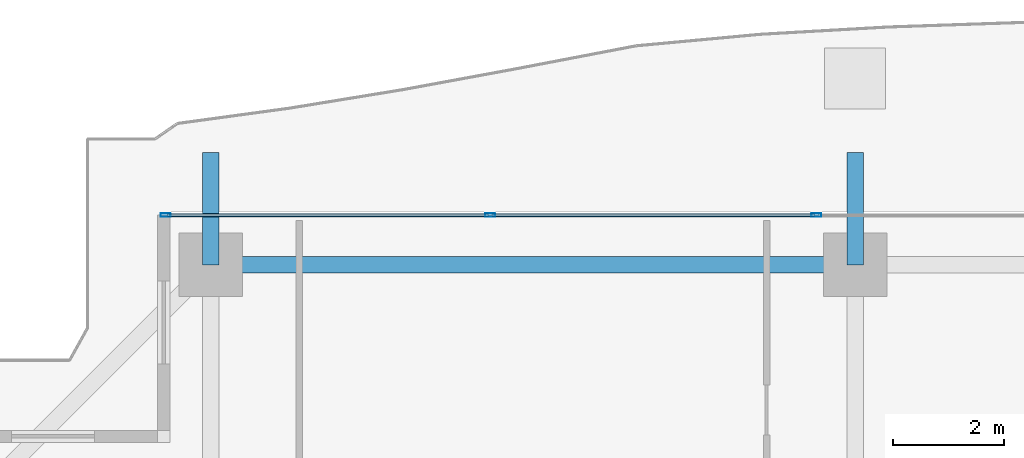
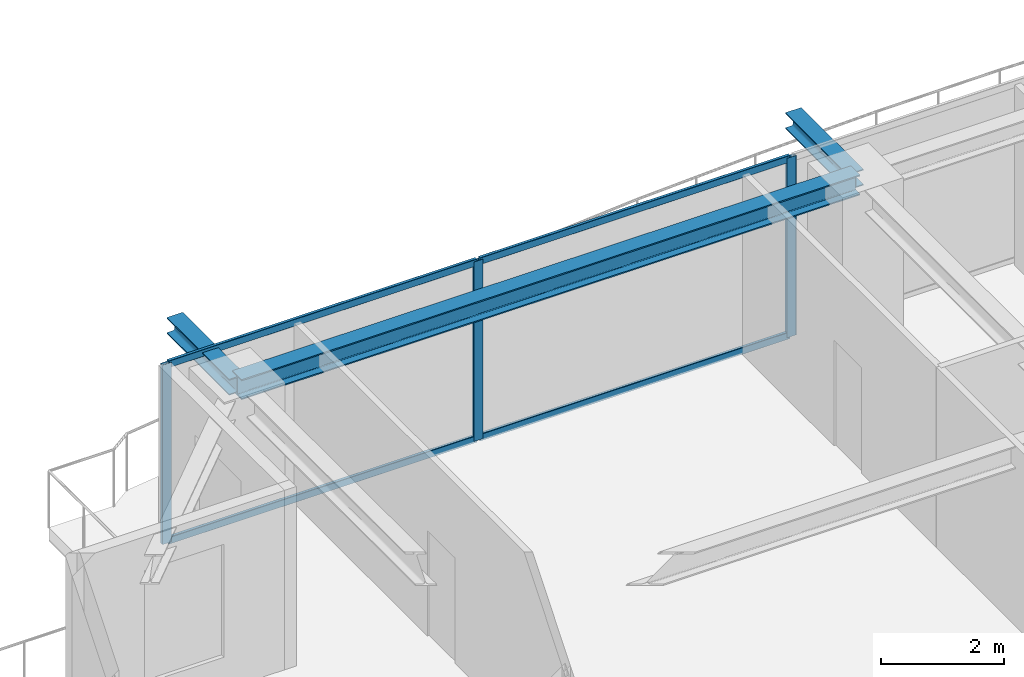
# One storey, part 21 of 39: 7 members, 3 beams, 1 element without a shape of its own.
"""IFC4 building model written with IfcOpenShell, lengths in metres."""

from ifc_helpers import new_model, si_unit, direction, frame, origin, origin_2d, place, context, subcontext, project, spatial, hollow_rectangle, i_section, extrude, source, transform, mapped, material, layer, layer_set, material_profile, profile_set, type_object, element, aggregate, save


model = new_model("IFC4")

# Units and contexts
model_context = context("Model", 3, precision=1e-05, world=origin(), true_north=direction((0.0, 1.0)))
body_context = subcontext(model_context, "Body", "Model", "MODEL_VIEW")
ifc_project = project(units=[si_unit("LENGTHUNIT", "METRE"), si_unit("AREAUNIT", "SQUARE_METRE"), si_unit("VOLUMEUNIT", "CUBIC_METRE"), si_unit("PLANEANGLEUNIT", "RADIAN"), si_unit("MASSUNIT", "GRAM", prefix="KILO")], contexts=[model_context])

# Site, building, storey
site_placement = place(None, origin())
site = spatial("IfcSite", under=ifc_project, at=site_placement, CompositionType="ELEMENT")
building_placement = place(site_placement, origin())
building = spatial("IfcBuilding", under=site, at=building_placement, Name="Serunith Strait Residences", CompositionType="ELEMENT")
storey_placement = place(building_placement, frame((0.0, 0.0, 222.0)))
storey = spatial("IfcBuildingStorey", under=building, at=storey_placement, Name="L55", CompositionType="ELEMENT", Elevation=222.0)

# Beams
ifc_material_1 = material(Name="Steel S355J2", Category="steel")
ifc_material_profile_1 = material_profile(ifc_material_1, i_section(OverallWidth=0.300048828125, OverallDepth=0.39990234375, WebThickness=0.013427734375, FlangeThickness=0.02392578125, FilletRadius=0.027099609375, at=origin_2d()), Name="HEB 400")
ifc_profile_set_1 = profile_set([ifc_material_profile_1], Name="Steel S355J2")
beam_type_1 = type_object("IfcBeamType", Name="BM-HEB400", PredefinedType="BEAM", material=ifc_profile_set_1)
shared_shape_1 = source(origin(), body_context, "Body", "SweptSolid", [
    extrude(i_section(OverallWidth=0.300048828125, OverallDepth=0.39990234375, WebThickness=0.013427734375, FlangeThickness=0.02392578125, FilletRadius=0.027099609375, at=origin_2d()), origin(), (0.0, 0.0, 1.0), 11.64990234375),
])
beam_placement = place(storey_placement, frame((27.89990234375, 48.300048828125, 3.386962890625), z_axis=(-1.0, 0.0, 0.0), x_axis=(0.0, -1.0, 0.0)))
element("IfcBeam", 1, at=beam_placement, inside=storey, type_object=beam_type_1, Name="L55 Perimeter Ring Beam 11", PredefinedType="BEAM", context=body_context, shape_type="MappedRepresentation", body=[
    mapped(shared_shape_1, transform((0.0, 0.0, 0.0), scale=1.0)),
])
ifc_material_profile_2 = material_profile(ifc_material_1, i_section(OverallWidth=0.300048828125, OverallDepth=0.320068359375, WebThickness=0.011474609375, FlangeThickness=0.0205078125, FilletRadius=0.027099609375, at=origin_2d()), Name="HEB 320")
ifc_profile_set_2 = profile_set([ifc_material_profile_2], Name="Steel S355J2")
beam_type_2 = type_object("IfcBeamType", Name="BM-HEB320", PredefinedType="BEAM", material=ifc_profile_set_2)
shared_shape_2 = source(origin(), body_context, "Body", "SweptSolid", [
    extrude(i_section(OverallWidth=0.300048828125, OverallDepth=0.320068359375, WebThickness=0.011474609375, FlangeThickness=0.0205078125, FilletRadius=0.027099609375, at=origin_2d()), origin(), (0.0, 0.0, 1.0), 2.030029296875),
])
for number, where, z_axis, x_axis, name in (
    (2, (16.25, 48.300048828125, 3.39697265625), (0.0, 1.0, 0.0), (-1.0, 0.0, 0.0), "L56 Cantilevered Balcony Rib TC-N1"),
    (3, (27.89990234375, 48.300048828125, 3.39697265625), (0.0, 1.0, 0.0), (-1.0, 0.0, 0.0), "L56 Cantilevered Balcony Rib TC-N2"),
):
    element("IfcBeam", number, at=place(storey_placement, frame(where, z_axis=z_axis, x_axis=x_axis)), inside=storey, type_object=beam_type_2, Name=name, PredefinedType="BEAM", context=body_context, shape_type="MappedRepresentation", body=[
        mapped(shared_shape_2, transform((0.0, 0.0, 0.0), scale=1.0)),
    ])

# Curtain wall, members
ifc_material_2 = material(Name="Pale-Champagne Anodised Aluminium", Category="aluminium")
ifc_layer = layer(ifc_material_2, 0.199951171875, Name="Pale-Champagne Anodised Aluminium")
ifc_layer_set = layer_set([ifc_layer], Name="Pale-Champagne Anodised Aluminium")
curtain_wall_type = type_object("IfcCurtainWallType", Name="CW-SYS4", PredefinedType="NOTDEFINED", material=ifc_layer_set)
curtain_wall_placement = place(storey_placement, origin())
curtain_wall = element("IfcCurtainWall", 4, at=curtain_wall_placement, inside=storey, type_object=curtain_wall_type, Name="L55 N Unitised Fritted Curtain Wall", PredefinedType="NOTDEFINED")
ifc_material_profile_3 = material_profile(ifc_material_2, hollow_rectangle(XDim=0.06494140625, YDim=0.179931640625, WallThickness=0.00341796875, InnerFilletRadius=0.00537109375, OuterFilletRadius=0.0087890625, at=origin_2d()), Name="ALU 180x65x3.5")
ifc_profile_set_3 = profile_set([ifc_material_profile_3], Name="Pale-Champagne Anodised Aluminium")
member_type_1 = type_object("IfcMemberType", Name="CW-SYS4-MULL", PredefinedType="MULLION", material=ifc_profile_set_3)
shared_shape_3 = source(origin(), body_context, "Body", "SweptSolid", [
    extrude(hollow_rectangle(XDim=0.06494140625, YDim=0.179931640625, WallThickness=0.00341796875, InnerFilletRadius=0.00537109375, OuterFilletRadius=0.0087890625, at=origin_2d()), origin(), (0.0, 0.0, 1.0), 3.574951171875),
])
member_1_placement = place(storey_placement, frame((27.199951171875, 49.199951171875, 0.0), z_axis=(0.0, 0.0, 1.0), x_axis=(0.0, -1.0, 0.0)))
member_1 = element("IfcMember", 5, at=member_1_placement, type_object=member_type_1, Name="CW-4 mullion 2", PredefinedType="MULLION", context=body_context, shape_type="MappedRepresentation", body=[
    mapped(shared_shape_3, transform((0.0, 0.0, 0.0), scale=1.0)),
])
member_2_placement = place(storey_placement, frame((21.300048828125, 49.199951171875, 0.0), z_axis=(0.0, 0.0, 1.0), x_axis=(0.0, -1.0, 0.0)))
member_2 = element("IfcMember", 6, at=member_2_placement, type_object=member_type_1, Name="CW-4 mullion 3", PredefinedType="MULLION", context=body_context, shape_type="MappedRepresentation", body=[
    mapped(shared_shape_3, transform((0.0, 0.0, 0.0), scale=1.0)),
])
member_3_placement = place(storey_placement, frame((15.4326171875, 49.199951171875, 0.0), z_axis=(0.0, 0.0, 1.0), x_axis=(0.0, -1.0, 0.0)))
member_3 = element("IfcMember", 7, at=member_3_placement, type_object=member_type_1, Name="CW-4 mullion 4", PredefinedType="MULLION", context=body_context, shape_type="MappedRepresentation", body=[
    mapped(shared_shape_3, transform((0.0, 0.0, 0.0), scale=1.0)),
])
ifc_material_profile_4 = material_profile(ifc_material_2, hollow_rectangle(XDim=0.06005859375, YDim=0.139892578125, WallThickness=0.00341796875, InnerFilletRadius=0.00537109375, OuterFilletRadius=0.0087890625, at=origin_2d()), Name="ALU 140x60x3.5")
ifc_profile_set_4 = profile_set([ifc_material_profile_4], Name="Pale-Champagne Anodised Aluminium")
member_type_2 = type_object("IfcMemberType", Name="CW-SYS4-TRAN", PredefinedType="USERDEFINED", material=ifc_profile_set_4)
shared_shape_4 = source(origin(), body_context, "Body", "SweptSolid", [
    extrude(hollow_rectangle(XDim=0.06005859375, YDim=0.139892578125, WallThickness=0.00341796875, InnerFilletRadius=0.00537109375, OuterFilletRadius=0.0087890625, at=origin_2d()), origin(), (0.0, 0.0, 1.0), 5.802490234375),
])
member_4_placement = place(storey_placement, frame((21.267578125, 49.199951171875, 0.030029296875), z_axis=(-1.0, 0.0, 0.0), x_axis=(0.0, -1.0, 0.0)))
member_4 = element("IfcMember", 8, at=member_4_placement, type_object=member_type_2, Name="CW-4 transom 3.1", ObjectType="TRANSOM", PredefinedType="USERDEFINED", context=body_context, shape_type="MappedRepresentation", body=[
    mapped(shared_shape_4, transform((0.0, 0.0, 0.0), scale=1.0)),
])
member_5_placement = place(storey_placement, frame((21.267578125, 49.199951171875, 3.544921875), z_axis=(-1.0, 0.0, 0.0), x_axis=(0.0, -1.0, 0.0)))
member_5 = element("IfcMember", 9, at=member_5_placement, type_object=member_type_2, Name="CW-4 transom 3.2", ObjectType="TRANSOM", PredefinedType="USERDEFINED", context=body_context, shape_type="MappedRepresentation", body=[
    mapped(shared_shape_4, transform((0.0, 0.0, 0.0), scale=1.0)),
])
shared_shape_5 = source(origin(), body_context, "Body", "SweptSolid", [
    extrude(hollow_rectangle(XDim=0.06005859375, YDim=0.139892578125, WallThickness=0.00341796875, InnerFilletRadius=0.00537109375, OuterFilletRadius=0.0087890625, at=origin_2d()), origin(), (0.0, 0.0, 1.0), 5.8349609375),
])
member_6_placement = place(storey_placement, frame((27.16748046875, 49.199951171875, 0.030029296875), z_axis=(-1.0, 0.0, 0.0), x_axis=(0.0, -1.0, 0.0)))
member_6 = element("IfcMember", 10, at=member_6_placement, type_object=member_type_2, Name="CW-4 transom 2.1", ObjectType="TRANSOM", PredefinedType="USERDEFINED", context=body_context, shape_type="MappedRepresentation", body=[
    mapped(shared_shape_5, transform((0.0, 0.0, 0.0), scale=1.0)),
])
member_7_placement = place(storey_placement, frame((27.16748046875, 49.199951171875, 3.544921875), z_axis=(-1.0, 0.0, 0.0), x_axis=(0.0, -1.0, 0.0)))
member_7 = element("IfcMember", 11, at=member_7_placement, type_object=member_type_2, Name="CW-4 transom 2.2", ObjectType="TRANSOM", PredefinedType="USERDEFINED", context=body_context, shape_type="MappedRepresentation", body=[
    mapped(shared_shape_5, transform((0.0, 0.0, 0.0), scale=1.0)),
])
aggregate(curtain_wall, [member_1, member_2, member_3, member_6, member_7, member_4, member_5])

save(model, "model.ifc")
